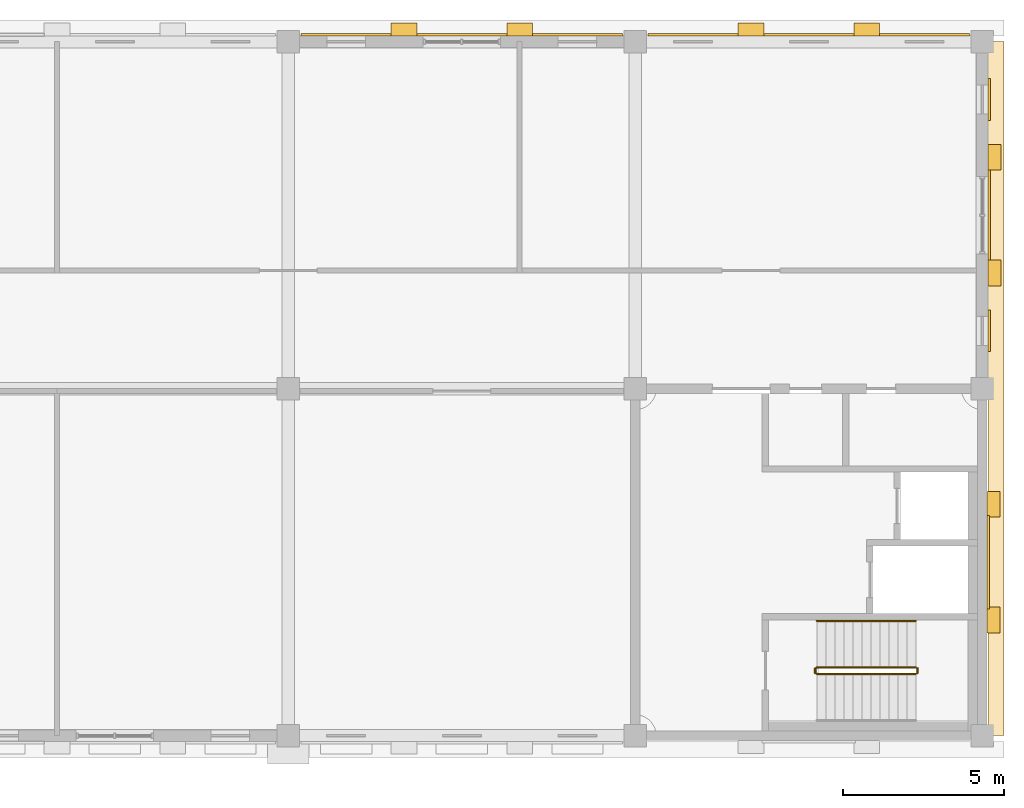
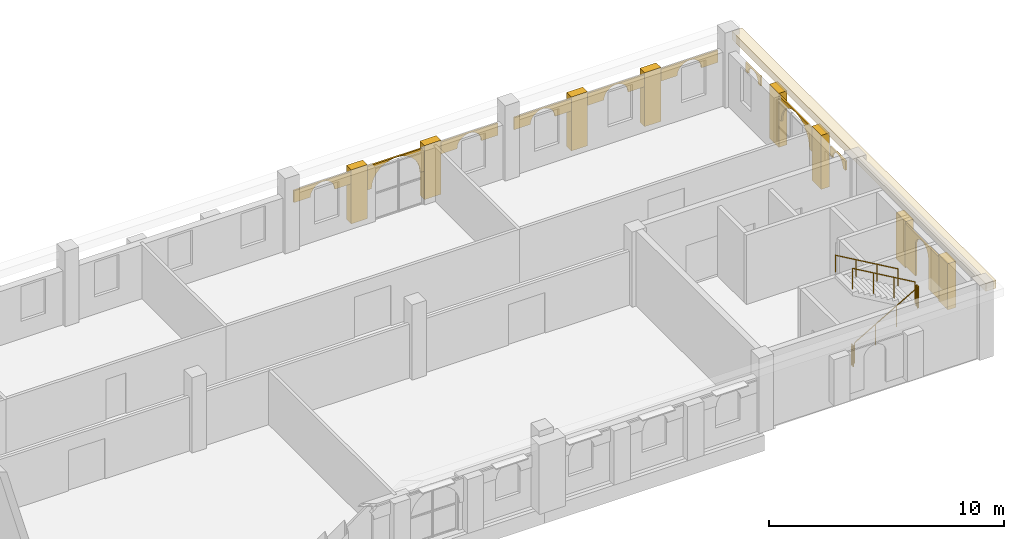
# One storey, part 17 of 17: 19 coverings, 5 railings.
"""IFC4 building model written with IfcOpenShell, lengths in metres."""

import ifcopenshell
import ifcopenshell.guid

model = None  # the IFC model being written
_history = None  # IfcOwnerHistory: only IFC2X3 demands one
_inside = {}  # id of a spatial element -> (the spatial element, [elements in it])
_under = {}  # id of a project, library or spatial element -> (it, [spatial elements below it])
_declared = {}  # id of a project -> (the project, [libraries it declares])
_typed = {}  # id of a type object -> (the type object, [elements of that type])
_made_of = {}  # id of a material, layer set ... -> (it, [elements and type objects made of it])


def new_model(schema):
    """Start an empty IFC model of exactly this schema.

    Asked for "IFC4X3", IfcOpenShell would pick the latest addendum, in which some entities
    have other attributes; the version numbers below select the first issue.
    IFC2X3 requires an IfcOwnerHistory on every rooted entity: one is made here for all.
    """
    global model, _history
    if schema == "IFC4X3":
        model = ifcopenshell.file(schema_version=(4, 3, 0, 0))
    else:
        model = ifcopenshell.file(schema=schema)
    _inside.clear()
    _under.clear()
    _declared.clear()
    _typed.clear()
    _made_of.clear()
    _history = None
    if model.schema == "IFC2X3":
        org = make("IfcOrganization", Name="unknown")
        user = make(
            "IfcPersonAndOrganization",
            ThePerson=make("IfcPerson", FamilyName="unknown"),
            TheOrganization=org,
        )
        app = make(
            "IfcApplication",
            ApplicationDeveloper=org,
            Version="unknown",
            ApplicationFullName="unknown",
            ApplicationIdentifier="unknown",
        )
        _history = make(
            "IfcOwnerHistory",
            OwningUser=user,
            OwningApplication=app,
            ChangeAction="ADDED",
            CreationDate=0,
        )
    return model


def make(cls, **values):
    """One entity of the class cls with the attributes given. An attribute that is None is left unset."""
    return model.create_entity(
        cls, **{name: value for name, value in values.items() if value is not None}
    )


def rooted(cls, **values):
    """An entity with a GlobalId (a new one), such as an element, a storey or a relation."""
    return make(cls, GlobalId=ifcopenshell.guid.new(), OwnerHistory=_history, **values)


def si_unit(unit_type, name, prefix=None):
    """IfcSIUnit, for example si_unit("LENGTHUNIT", "METRE", prefix="MILLI")."""
    return make("IfcSIUnit", UnitType=unit_type, Prefix=prefix, Name=name)


def assignment(units):
    """IfcUnitAssignment: the units of a project."""
    return None if units is None else make("IfcUnitAssignment", Units=units)


def point(xyz):
    """IfcCartesianPoint."""
    return None if xyz is None else make("IfcCartesianPoint", Coordinates=xyz)


def direction(xyz):
    """IfcDirection."""
    return None if xyz is None else make("IfcDirection", DirectionRatios=xyz)


def frame(location, z_axis=None, x_axis=None):
    """IfcAxis2Placement3D, a coordinate frame: its origin and axes. An axis left out is left unset."""
    return make(
        "IfcAxis2Placement3D",
        Location=point(location),
        Axis=direction(z_axis),
        RefDirection=direction(x_axis),
    )


def frame_2d(location, x_axis=None):
    """IfcAxis2Placement2D, a coordinate frame in the plane: its origin and x axis."""
    return make(
        "IfcAxis2Placement2D", Location=point(location), RefDirection=direction(x_axis)
    )


def origin():
    """The frame at (0, 0, 0) with its axes left unset."""
    return frame((0.0, 0.0, 0.0))


def origin_2d():
    """The frame at (0, 0) in the plane with its x axis left unset."""
    return frame_2d((0.0, 0.0))


def place(relative_to, where):
    """IfcLocalPlacement: puts the frame where relative to a parent placement (None: the world)."""
    return make(
        "IfcLocalPlacement", PlacementRelTo=relative_to, RelativePlacement=where
    )


def context(
    kind, dimensions, precision=None, world=None, true_north=None, identifier=None
):
    """IfcGeometricRepresentationContext, for example the 3D "Model" context."""
    return make(
        "IfcGeometricRepresentationContext",
        ContextIdentifier=identifier,
        ContextType=kind,
        CoordinateSpaceDimension=dimensions,
        Precision=precision,
        WorldCoordinateSystem=world,
        TrueNorth=true_north,
    )


def subcontext(parent, identifier, kind, view, scale=None):
    """IfcGeometricRepresentationSubContext, for example "Body" below "Model"."""
    return make(
        "IfcGeometricRepresentationSubContext",
        ContextIdentifier=identifier,
        ContextType=kind,
        ParentContext=parent,
        TargetScale=scale,
        TargetView=view,
    )


def project(units=None, contexts=None):
    """IfcProject with its units and contexts."""
    return rooted(
        "IfcProject",
        Name="project",
        RepresentationContexts=contexts,
        UnitsInContext=assignment(units),
    )


def spatial(cls, under=None, at=None, **own):
    """A site, building, storey or space (cls), placed at a placement, below another one or the project."""
    s = rooted(cls, ObjectPlacement=at, **own)
    if under is not None:
        _under.setdefault(under.id(), (under, []))[1].append(s)
    return s


def polyline(points):
    """IfcPolyline through the points."""
    return make("IfcPolyline", Points=[point(p) for p in points])


def profile(cls, at=None, kind="AREA", **sizes):
    """A parametric profile (cls). Its sizes go by their IFC names, for example OverallWidth=200.0."""
    return make(cls, ProfileType=kind, Position=at, **sizes)


def rectangle(**sizes):
    """IfcRectangleProfileDef."""
    return profile("IfcRectangleProfileDef", **sizes)


def circle(**sizes):
    """IfcCircleProfileDef."""
    return profile("IfcCircleProfileDef", **sizes)


def outline(outer, holes=None, kind="AREA"):
    """IfcArbitraryClosedProfileDef: a profile drawn as a closed curve; with holes, ...WithVoids."""
    if holes is None:
        return make("IfcArbitraryClosedProfileDef", ProfileType=kind, OuterCurve=outer)
    return make(
        "IfcArbitraryProfileDefWithVoids",
        ProfileType=kind,
        OuterCurve=outer,
        InnerCurves=holes,
    )


def extrude(swept, where, along, depth):
    """IfcExtrudedAreaSolid: the profile swept, set in the frame where, extruded along a direction by depth."""
    return make(
        "IfcExtrudedAreaSolid",
        SweptArea=swept,
        Position=where,
        ExtrudedDirection=direction(along),
        Depth=depth,
    )


def shape(context_of_items, identifier, shape_type, items):
    """IfcShapeRepresentation: the items that make up one representation, for example the "Body"."""
    return make(
        "IfcShapeRepresentation",
        ContextOfItems=context_of_items,
        RepresentationIdentifier=identifier,
        RepresentationType=shape_type,
        Items=items,
    )


def material(Name=None, Category=None):
    """IfcMaterial."""
    return make("IfcMaterial", Name=Name, Category=Category)


def layer(
    of_material, thickness, ventilated=None, Name=None, Category=None, Priority=None
):
    """IfcMaterialLayer: one layer of a wall or slab, of a material (None: an air gap)."""
    return make(
        "IfcMaterialLayer",
        Material=of_material,
        LayerThickness=thickness,
        IsVentilated=ventilated,
        Name=Name,
        Category=Category,
        Priority=Priority,
    )


def layer_set(layers, Name=None):
    """IfcMaterialLayerSet."""
    return make("IfcMaterialLayerSet", MaterialLayers=layers, LayerSetName=Name)


def made_of(thing, what):
    """Note that an element or type object is made of a material, layer set ...; save() writes the relation."""
    if what is not None:
        _made_of.setdefault(what.id(), (what, []))[1].append(thing)
    return thing


def type_object(cls, material=None, **own):
    """A type object (cls), such as IfcWallType, which elements share."""
    return made_of(rooted(cls, **own), material)


def element(
    cls,
    number,
    at=None,
    inside=None,
    cuts=None,
    type_object=None,
    material=None,
    context=None,
    identifier="Body",
    shape_type=None,
    held_by="IfcProductDefinitionShape",
    body=None,
    shapes=None,
    **own,
):
    """One element of the class cls, such as IfcWall. Its Tag is "e" and its number.

    at: its placement. inside: the storey or other place that contains it. cuts: it is an
    opening in that element (IfcRelVoidsElement). A single representation is given by context,
    identifier, shape_type and body (its items); several are given by shapes. held_by: the class
    of the entity that holds the representations. save() writes the other relations.
    """
    e = rooted(cls, Tag="e%d" % number, ObjectPlacement=at, **own)
    if body is not None:
        shapes = [shape(context, identifier, shape_type, body)]
    if shapes is not None:
        e.Representation = make(held_by, Representations=shapes)
    if inside is not None:
        _inside.setdefault(inside.id(), (inside, []))[1].append(e)
    if cuts is not None:
        rooted(
            "IfcRelVoidsElement", RelatingBuildingElement=cuts, RelatedOpeningElement=e
        )
    if type_object is not None:
        _typed.setdefault(type_object.id(), (type_object, []))[1].append(e)
    return made_of(e, material)


def aggregate(whole, parts):
    """IfcRelAggregates: a whole, such as a stair, and the parts it consists of."""
    return rooted("IfcRelAggregates", RelatingObject=whole, RelatedObjects=parts)


def save(model, path):
    """Write the relations noted so far, then the file.

    IfcRelAggregates (storeys below a building ...), IfcRelContainedInSpatialStructure (elements
    in a storey), IfcRelDefinesByType, IfcRelAssociatesMaterial and IfcRelDeclares: one each for
    every whole, place, type object, material and project.
    """
    for whole, parts in _under.values():
        aggregate(whole, parts)
    for where, things in _inside.values():
        rooted(
            "IfcRelContainedInSpatialStructure",
            RelatedElements=things,
            RelatingStructure=where,
        )
    for kind, things in _typed.values():
        rooted("IfcRelDefinesByType", RelatedObjects=things, RelatingType=kind)
    for what, things in _made_of.values():
        rooted("IfcRelAssociatesMaterial", RelatedObjects=things, RelatingMaterial=what)
    for by, libraries in _declared.values():
        rooted("IfcRelDeclares", RelatingContext=by, RelatedDefinitions=libraries)
    model.write(path)


model = new_model("IFC4")

# Units and contexts
model_context = context("Model", 3, precision=1e-05, world=origin(), true_north=direction((0.0, 1.0)))
body_context = subcontext(model_context, "Body", "Model", "MODEL_VIEW")
ifc_project = project(units=[si_unit("LENGTHUNIT", "METRE"), si_unit("AREAUNIT", "SQUARE_METRE"), si_unit("VOLUMEUNIT", "CUBIC_METRE"), si_unit("PLANEANGLEUNIT", "RADIAN"), si_unit("MASSUNIT", "GRAM", prefix="KILO")], contexts=[model_context])

# Site, building, storey
site_placement = place(None, origin())
site = spatial("IfcSite", under=ifc_project, at=site_placement, CompositionType="ELEMENT")
building_placement = place(site_placement, origin())
building = spatial("IfcBuilding", under=site, at=building_placement, Name="Magnolia Steps Interchange", CompositionType="ELEMENT")
storey_placement = place(building_placement, frame((0.0, 0.0, 20.39990234375)))
storey = spatial("IfcBuildingStorey", under=building, at=storey_placement, Name="L05", CompositionType="ELEMENT", Elevation=20.39990234375)

# Coverings
ifc_material_1 = material(Name="Lime render")
ifc_layer_1 = layer(ifc_material_1, 0.080078125)
ifc_layer_set_1 = layer_set([ifc_layer_1], Name="Lime render arch infill")
covering_type_1 = type_object("IfcCoveringType", Name="Lime render arch infill", PredefinedType="CLADDING", material=ifc_layer_set_1)
covering_1_placement = place(storey_placement, frame((118.175048828125, 111.199951171875, 1.47998046875), z_axis=(-1.0, 0.0, 0.0), x_axis=(0.0, 0.0, 1.0)))
element("IfcCovering", 1, at=covering_1_placement, inside=storey, type_object=covering_type_1, Name="Arched head over opening g2", PredefinedType="CLADDING", context=body_context, shape_type="SweptSolid", body=[
    extrude(outline(polyline([(0.0, 0.0), (1.220214844, 0.0), (1.220214844, 2.800048828), (0.0, 2.800048828), (0.0, 2.600097656), (0.267089844, 2.570068359), (0.520751953, 2.481201172), (0.748291016, 2.338134766), (0.938232422, 2.148193359), (1.081298828, 1.920654297), (1.169921875, 1.666992188), (1.200195312, 1.400146484), (1.169921875, 1.133056641), (1.081298828, 0.879394531), (0.938232422, 0.651855469), (0.748291016, 0.461914062), (0.520751953, 0.318847656), (0.267089844, 0.230224609), (0.0, 0.199951172), (0.0, 0.0)])), origin(), (0.0, 0.0, -1.0), 0.080078125),
])
covering_2_placement = place(storey_placement, frame((118.175048828125, 108.35009765625, 2.22998046875), z_axis=(-1.0, 0.0, 0.0), x_axis=(0.0, 0.0, 1.0)))
element("IfcCovering", 2, at=covering_2_placement, inside=storey, type_object=covering_type_1, Name="Arched head over opening W00180", PredefinedType="CLADDING", context=body_context, shape_type="SweptSolid", body=[
    extrude(outline(polyline([(0.0, 0.0), (0.470214844, 0.0), (0.470214844, 1.299804688), (0.0, 1.299804688), (0.0, 1.099853516), (0.100097656, 1.088623047), (0.1953125, 1.055419922), (0.280761719, 1.001708984), (0.351806641, 0.930419922), (0.405517578, 0.845214844), (0.438720703, 0.75), (0.450195312, 0.649902344), (0.438720703, 0.549804688), (0.405517578, 0.454589844), (0.351806641, 0.369384766), (0.280761719, 0.298095703), (0.1953125, 0.244384766), (0.100097656, 0.211181641), (0.0, 0.199951172), (0.0, 0.0)])), origin(), (0.0, 0.0, -1.0), 0.080078125),
])
covering_3_placement = place(storey_placement, frame((118.175048828125, 115.550048828125, 2.22998046875), z_axis=(-1.0, 0.0, 0.0), x_axis=(0.0, 0.0, 1.0)))
element("IfcCovering", 3, at=covering_3_placement, inside=storey, type_object=covering_type_1, Name="Arched head over opening W00240", PredefinedType="CLADDING", context=body_context, shape_type="SweptSolid", body=[
    extrude(outline(polyline([(0.0, 0.0), (0.470214844, 0.0), (0.470214844, 1.300048828), (0.0, 1.300048828), (0.0, 1.099853516), (0.100097656, 1.088623047), (0.1953125, 1.055419922), (0.280761719, 1.001708984), (0.351806641, 0.930664062), (0.405517578, 0.845214844), (0.438720703, 0.75), (0.450195312, 0.649902344), (0.438720703, 0.549804688), (0.405517578, 0.454833984), (0.351806641, 0.369384766), (0.280761719, 0.298095703), (0.1953125, 0.244628906), (0.100097656, 0.211181641), (0.0, 0.199951172), (0.0, 0.0)])), origin(), (0.0, 0.0, -1.0), 0.080078125),
])
covering_4_placement = place(storey_placement, frame((100.60009765625, 118.175048828125, 1.47998046875), z_axis=(0.0, -1.0, 0.0), x_axis=(0.111727497739, 0.0, 0.993738882327)))
element("IfcCovering", 4, at=covering_4_placement, inside=storey, type_object=covering_type_1, Name="Arched head over opening g4", PredefinedType="CLADDING", context=body_context, shape_type="SweptSolid", body=[
    extrude(outline(polyline([(0.0, 0.0), (0.268772661, 0.0), (0.530748193, -0.059727135), (0.772847059, -0.176475415), (0.982820897, -0.344005898), (1.150413918, -0.55413586), (1.266823118, -0.79630813), (1.32674829, -1.058343317), (1.326478401, -1.326900644), (1.266778543, -1.589118788), (1.150002986, -1.830975041), (0.98249978, -2.041191492), (0.772342541, -2.208541901), (0.530197548, -2.325193713), (0.268135084, -2.384876273), (0.290475128, -2.583575527), (1.503050063, -2.447243976), (1.190207614, 0.335273417), (-0.022367321, 0.198941866), (0.0, 0.0)])), origin(), (0.0, 0.0, -1.0), 0.080078125),
])
covering_5_placement = place(storey_placement, frame((97.60009765625, 118.175048828125, 2.080078125), z_axis=(0.0, -1.0, 0.0), x_axis=(0.1108303469, 0.0, 0.993839340239)))
element("IfcCovering", 5, at=covering_5_placement, inside=storey, type_object=covering_type_1, Name="Arched head over opening W01680", PredefinedType="CLADDING", context=body_context, shape_type="SweptSolid", body=[
    extrude(outline(polyline([(0.0, 0.0), (0.134372747, 0.0), (0.265225711, -0.030116653), (0.386222396, -0.088600048), (0.49137629, -0.172432974), (0.574835281, -0.277600619), (0.633038335, -0.398604402), (0.662882632, -0.529648991), (0.662639995, -0.664048796), (0.632523343, -0.79490176), (0.574309643, -0.916114024), (0.490207021, -1.021052339), (0.385039377, -1.10451133), (0.264035594, -1.162714384), (0.132991005, -1.192558681), (0.221660694, -1.98767868), (0.83795755, -1.918950877), (0.527627167, 0.863847803), (-0.088669689, 0.79512), (0.0, 0.0)])), origin(), (0.0, 0.0, -1.0), 0.080078125),
])
covering_6_placement = place(storey_placement, frame((104.800048828125, 118.175048828125, 2.080078125), z_axis=(0.0, -1.0, 0.0), x_axis=(0.1108303469, 0.0, 0.993839340239)))
element("IfcCovering", 6, at=covering_6_placement, inside=storey, type_object=covering_type_1, Name="Arched head over opening W00240", PredefinedType="CLADDING", context=body_context, shape_type="SweptSolid", body=[
    extrude(outline(polyline([(0.0, 0.0), (0.134372747, 0.0), (0.265225711, -0.030116653), (0.386222396, -0.088600048), (0.49137629, -0.172432974), (0.574835281, -0.277600619), (0.633065394, -0.398847038), (0.662882632, -0.529648991), (0.662639995, -0.664048796), (0.632550401, -0.795144396), (0.574309643, -0.916114024), (0.490207021, -1.021052339), (0.385066435, -1.104753967), (0.264062652, -1.162957021), (0.132991005, -1.192558681), (0.221660694, -1.98767868), (0.83795755, -1.918950877), (0.527627167, 0.863847803), (-0.088669689, 0.79512), (0.0, 0.0)])), origin(), (0.0, 0.0, -1.0), 0.080078125),
])
covering_7_placement = place(storey_placement, frame((108.39990234375, 118.175048828125, 2.080078125), z_axis=(0.0, -1.0, 0.0), x_axis=(0.112624375469, 0.0, 0.993637635182)))
element("IfcCovering", 7, at=covering_7_placement, inside=storey, type_object=covering_type_1, Name="Arched head over opening W00600", PredefinedType="CLADDING", context=body_context, shape_type="SweptSolid", body=[
    extrude(outline(polyline([(0.0, 0.0), (0.134400024, 0.0), (0.265307145, -0.029880371), (0.386409216, -0.088145231), (0.491714284, -0.171788184), (0.575363002, -0.276804986), (0.633784413, -0.397703495), (0.66386524, -0.528693992), (0.66386524, -0.663094016), (0.633984869, -0.794001137), (0.575962596, -0.915075712), (0.49204956, -1.020165689), (0.387060254, -1.104056994), (0.266161744, -1.162478405), (0.135171248, -1.192559232), (0.225248751, -1.98727527), (0.841420527, -1.917434959), (0.526094272, 0.864556349), (-0.090077503, 0.794716038), (0.0, 0.0)])), origin(), (0.0, 0.0, -1.0), 0.080078125),
])
covering_8_placement = place(storey_placement, frame((112.0, 118.175048828125, 2.080078125), z_axis=(0.0, -1.0, 0.0), x_axis=(0.1108303469, 0.0, 0.993839340239)))
element("IfcCovering", 8, at=covering_8_placement, inside=storey, type_object=covering_type_1, Name="Arched head over opening W00960", PredefinedType="CLADDING", context=body_context, shape_type="SweptSolid", body=[
    extrude(outline(polyline([(0.0, 0.0), (0.134372747, 0.0), (0.265225711, -0.030116653), (0.386222396, -0.088600048), (0.49137629, -0.172432974), (0.574835281, -0.277600619), (0.633065394, -0.398847038), (0.66290969, -0.529891627), (0.662639995, -0.664048796), (0.632550401, -0.795144396), (0.574309643, -0.916114024), (0.490207021, -1.021052339), (0.385066435, -1.104753967), (0.264062652, -1.162957021), (0.132991005, -1.192558681), (0.221660694, -1.98767868), (0.83795755, -1.918950877), (0.527627167, 0.863847803), (-0.088669689, 0.79512), (0.0, 0.0)])), origin(), (0.0, 0.0, -1.0), 0.080078125),
])
covering_9_placement = place(storey_placement, frame((115.60009765625, 118.175048828125, 2.080078125), z_axis=(0.0, -1.0, 0.0), x_axis=(0.1108303469, 0.0, 0.993839340239)))
element("IfcCovering", 9, at=covering_9_placement, inside=storey, type_object=covering_type_1, Name="Arched head over opening W01320", PredefinedType="CLADDING", context=body_context, shape_type="SweptSolid", body=[
    extrude(outline(polyline([(0.0, 0.0), (0.134372747, 0.0), (0.265225711, -0.030116653), (0.386222396, -0.088600048), (0.49137629, -0.172432974), (0.574835281, -0.277600619), (0.633038335, -0.398604402), (0.662882632, -0.529648991), (0.662639995, -0.664048796), (0.632523343, -0.79490176), (0.574309643, -0.916114024), (0.490207021, -1.021052339), (0.385039377, -1.10451133), (0.264035594, -1.162714384), (0.132991005, -1.192558681), (0.221660694, -1.98767868), (0.83795755, -1.918950877), (0.527627167, 0.863847803), (-0.088669689, 0.79512), (0.0, 0.0)])), origin(), (0.0, 0.0, -1.0), 0.080078125),
])
covering_10_placement = place(storey_placement, frame((118.14990234375, 100.35009765625, 0.400146484375), z_axis=(-1.0, 0.0, 0.0), x_axis=(0.0, 0.0, 1.0)))
element("IfcCovering", 10, at=covering_10_placement, inside=storey, type_object=covering_type_1, Name="Arched niche OC-E L05 E", PredefinedType="CLADDING", context=body_context, shape_type="SweptSolid", body=[
    extrude(outline(polyline([(0.0, 0.0), (2.199951172, 0.0), (2.199951172, 2.899902344), (0.0, 2.899902344), (0.0, 2.0), (1.599853516, 2.0), (1.742431641, 1.981201172), (1.875, 1.926269531), (1.988769531, 1.838867188), (2.076171875, 1.724853516), (2.131347656, 1.592285156), (2.149902344, 1.449951172), (2.131347656, 1.307617188), (2.076171875, 1.174804688), (1.988769531, 1.061035156), (1.875, 0.973632812), (1.742431641, 0.918701172), (1.599853516, 0.899902344), (0.0, 0.899902344), (0.0, 0.0)])), origin(), (0.0, 0.0, -1.0), 0.080078125),
])
ifc_material_2 = material(Name="Lime render")
ifc_layer_2 = layer(ifc_material_2, 0.1201171875)
ifc_layer_set_2 = layer_set([ifc_layer_2], Name="Lime render band")
covering_type_2 = type_object("IfcCoveringType", Name="Lime render band", PredefinedType="CLADDING", material=ifc_layer_set_2)
covering_11_placement = place(storey_placement, frame((118.425048828125, 107.199951171875, 3.2001953125), z_axis=(0.0, 0.0, 1.0), x_axis=(1.0, 0.0, 0.0)))
element("IfcCovering", 11, at=covering_11_placement, inside=storey, type_object=covering_type_2, Name="String course L05 E", PredefinedType="CLADDING", context=body_context, shape_type="SweptSolid", body=[
    extrude(rectangle(XDim=0.5, YDim=21.60009765625, at=origin_2d()), origin(), (0.0, 0.0, 1.0), 0.39990234375),
])
ifc_material_3 = material(Name="Lime render")
ifc_layer_3 = layer(ifc_material_3, 0.39990234375)
ifc_layer_set_3 = layer_set([ifc_layer_3], Name="Lime render pilaster")
covering_type_3 = type_object("IfcCoveringType", Name="Lime render pilaster", PredefinedType="CLADDING", material=ifc_layer_set_3)
for number, where, z_axis, x_axis, name in (
    (12, (100.0, 118.375, 0.0), (0.0, 0.0, 1.0), (1.0, 0.0, 0.0), "Pilaster L05 N 7"),
    (13, (103.60009765625, 118.375, 0.0), (0.0, 0.0, 1.0), (1.0, 0.0, 0.0), "Pilaster L05 N 8"),
    (14, (110.800048828125, 118.375, 0.0), (0.0, 0.0, 1.0), (1.0, 0.0, 0.0), "Pilaster L05 N 9"),
    (15, (114.39990234375, 118.375, 0.0), (0.0, 0.0, 1.0), (1.0, 0.0, 0.0), "Pilaster L05 N 10"),
):
    element("IfcCovering", number, at=place(storey_placement, frame(where, z_axis=z_axis, x_axis=x_axis)), inside=storey, type_object=covering_type_3, Name=name, PredefinedType="CLADDING", context=body_context, shape_type="SweptSolid", body=[
        extrude(rectangle(XDim=0.800048828125, YDim=0.39990234375, at=origin_2d()), origin(), (0.0, 0.0, 1.0), 2.800048828125),
    ])
for number, where, z_axis, x_axis, name in (
    (16, (118.375, 110.800048828125, 0.0), (0.0, 0.0, 1.0), (1.0, 0.0, 0.0), "Pilaster L05 E 1"),
    (17, (118.375, 114.39990234375, 0.0), (0.0, 0.0, 1.0), (1.0, 0.0, 0.0), "Pilaster L05 E 2"),
):
    element("IfcCovering", number, at=place(storey_placement, frame(where, z_axis=z_axis, x_axis=x_axis)), inside=storey, type_object=covering_type_3, Name=name, PredefinedType="CLADDING", context=body_context, shape_type="SweptSolid", body=[
        extrude(rectangle(XDim=0.39990234375, YDim=0.800048828125, at=origin_2d()), origin(), (0.0, 0.0, 1.0), 2.800048828125),
    ])
for number, where, z_axis, x_axis, name in (
    (18, (118.35009765625, 100.0, 0.300048828125), (0.0, 0.0, 1.0), (1.0, 0.0, 0.0), "Core pilaster OC-E L05 E 1"),
    (19, (118.35009765625, 103.60009765625, 0.300048828125), (0.0, 0.0, 1.0), (1.0, 0.0, 0.0), "Core pilaster OC-E L05 E 2"),
):
    element("IfcCovering", number, at=place(storey_placement, frame(where, z_axis=z_axis, x_axis=x_axis)), inside=storey, type_object=covering_type_3, Name=name, PredefinedType="CLADDING", context=body_context, shape_type="SweptSolid", body=[
        extrude(rectangle(XDim=0.39990234375, YDim=0.800048828125, at=origin_2d()), origin(), (0.0, 0.0, 1.0), 2.39990234375),
    ])

# Railings
ifc_material_4 = material(Name="Stainless steel grade 304", Category="steel")
railing_type_1 = type_object("IfcRailingType", Name="Stair guard 1100", PredefinedType="GUARDRAIL", material=ifc_material_4)
railing_1_placement = place(storey_placement, frame((112.85009765625, 98.325927734375, 0.16259765625)))
element("IfcRailing", 20, at=railing_1_placement, inside=storey, type_object=railing_type_1, Name="L05 ST29 stair guard 1", PredefinedType="GUARDRAIL", context=body_context, shape_type="SweptSolid", body=[
    extrude(circle(Radius=0.02392578125, at=origin_2d()), frame((0.0, 0.0, 1.076171875), z_axis=(0.864873446163, 0.0, 0.501989962173), x_axis=(0.0, 1.0, 0.0)), (0.0, 0.0, 1.0), 3.56103515625),
    extrude(circle(Radius=0.02099609375, at=origin_2d()), origin(), (0.0, 0.0, 1.0), 1.052001953125),
    extrude(circle(Radius=0.02099609375, at=origin_2d()), frame((1.026611328125, 0.0, 0.595947265625)), (0.0, 0.0, 1.0), 1.052001953125),
    extrude(circle(Radius=0.02099609375, at=origin_2d()), frame((2.05322265625, 0.0, 1.191650390625)), (0.0, 0.0, 1.0), 1.052001953125),
    extrude(circle(Radius=0.02099609375, at=origin_2d()), frame((3.079833984375, 0.0, 1.78759765625)), (0.0, 0.0, 1.0), 1.052001953125),
])
railing_2_placement = place(storey_placement, frame((115.97998046875, 98.35009765625, 1.9501953125)))
element("IfcRailing", 21, at=railing_2_placement, inside=storey, type_object=railing_type_1, Name="L05 ST29 stair guard 2", PredefinedType="GUARDRAIL", context=body_context, shape_type="SweptSolid", body=[
    extrude(circle(Radius=0.02392578125, at=origin_2d()), frame((0.0, 0.0, 1.076171875), z_axis=(0.0, 1.0, 0.0), x_axis=(-1.0, 0.0, 0.0)), (0.0, 0.0, 1.0), 0.14990234375),
    extrude(circle(Radius=0.02099609375, at=origin_2d()), origin(), (0.0, 0.0, 1.0), 1.052001953125),
    extrude(circle(Radius=0.02099609375, at=origin_2d()), frame((0.0, 0.14990234375, 0.0)), (0.0, 0.0, 1.0), 1.052001953125),
])
railing_3_placement = place(storey_placement, frame((115.929931640625, 98.52392578125, 2.112548828125)))
element("IfcRailing", 22, at=railing_3_placement, inside=storey, type_object=railing_type_1, Name="L05 ST29 stair guard 3", PredefinedType="GUARDRAIL", context=body_context, shape_type="SweptSolid", body=[
    extrude(circle(Radius=0.02392578125, at=origin_2d()), frame((0.0, 0.0, 1.076171875), z_axis=(-0.864873446163, 0.0, 0.501989962173), x_axis=(0.0, -1.0, 0.0)), (0.0, 0.0, 1.0), 3.56103515625),
    extrude(circle(Radius=0.02099609375, at=origin_2d()), origin(), (0.0, 0.0, 1.0), 1.052001953125),
    extrude(circle(Radius=0.02099609375, at=origin_2d()), frame((-1.026611328125, 0.0, 0.595947265625)), (0.0, 0.0, 1.0), 1.052001953125),
    extrude(circle(Radius=0.02099609375, at=origin_2d()), frame((-2.05322265625, 0.0, 1.191650390625)), (0.0, 0.0, 1.0), 1.052001953125),
    extrude(circle(Radius=0.02099609375, at=origin_2d()), frame((-3.079833984375, 0.0, 1.78759765625)), (0.0, 0.0, 1.0), 1.052001953125),
])
railing_4_placement = place(storey_placement, frame((112.800048828125, 98.35009765625, 0.0)))
element("IfcRailing", 23, at=railing_4_placement, inside=storey, type_object=railing_type_1, Name="L05 ST29 stair guard 4", PredefinedType="GUARDRAIL", context=body_context, shape_type="SweptSolid", body=[
    extrude(circle(Radius=0.02392578125, at=origin_2d()), frame((0.0, 0.0, 1.076171875), z_axis=(0.0, 1.0, 0.0), x_axis=(-1.0, 0.0, 0.0)), (0.0, 0.0, 1.0), 0.14990234375),
    extrude(circle(Radius=0.02099609375, at=origin_2d()), origin(), (0.0, 0.0, 1.0), 1.052001953125),
    extrude(circle(Radius=0.02099609375, at=origin_2d()), frame((0.0, 0.14990234375, 0.0)), (0.0, 0.0, 1.0), 1.052001953125),
])
ifc_material_5 = material(Name="Stainless steel grade 304", Category="steel")
railing_type_2 = type_object("IfcRailingType", Name="Stair handrail 900", PredefinedType="HANDRAIL", material=ifc_material_5)
railing_5_placement = place(storey_placement, frame((115.929931640625, 99.97607421875, 2.112548828125)))
element("IfcRailing", 24, at=railing_5_placement, inside=storey, type_object=railing_type_2, Name="L05 ST29 stair handrail 2", PredefinedType="HANDRAIL", context=body_context, shape_type="SweptSolid", body=[
    extrude(circle(Radius=0.02392578125, at=origin_2d()), frame((0.0, 0.0, 0.8759765625), z_axis=(-0.864873446163, 0.0, 0.501989962173), x_axis=(0.0, -1.0, 0.0)), (0.0, 0.0, 1.0), 3.56103515625),
    extrude(circle(Radius=0.02099609375, at=origin_2d()), origin(), (0.0, 0.0, 1.0), 0.851806640625),
    extrude(circle(Radius=0.02099609375, at=origin_2d()), frame((-1.026611328125, 0.0, 0.595947265625)), (0.0, 0.0, 1.0), 0.851806640625),
    extrude(circle(Radius=0.02099609375, at=origin_2d()), frame((-2.05322265625, 0.0, 1.191650390625)), (0.0, 0.0, 1.0), 0.851806640625),
    extrude(circle(Radius=0.02099609375, at=origin_2d()), frame((-3.079833984375, 0.0, 1.78759765625)), (0.0, 0.0, 1.0), 0.851806640625),
])

save(model, "model.ifc")
